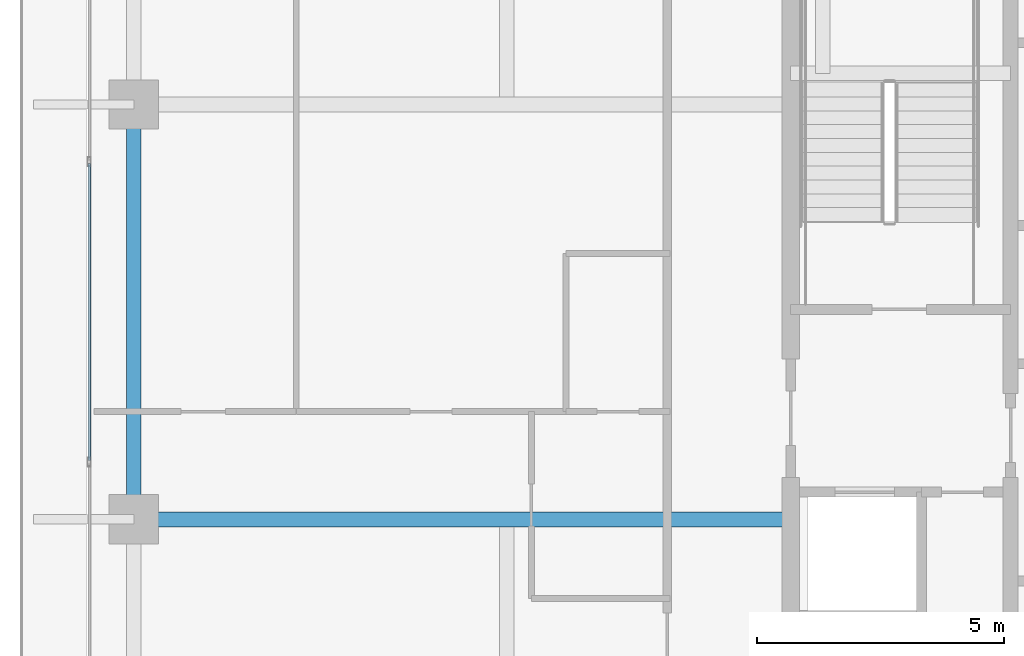
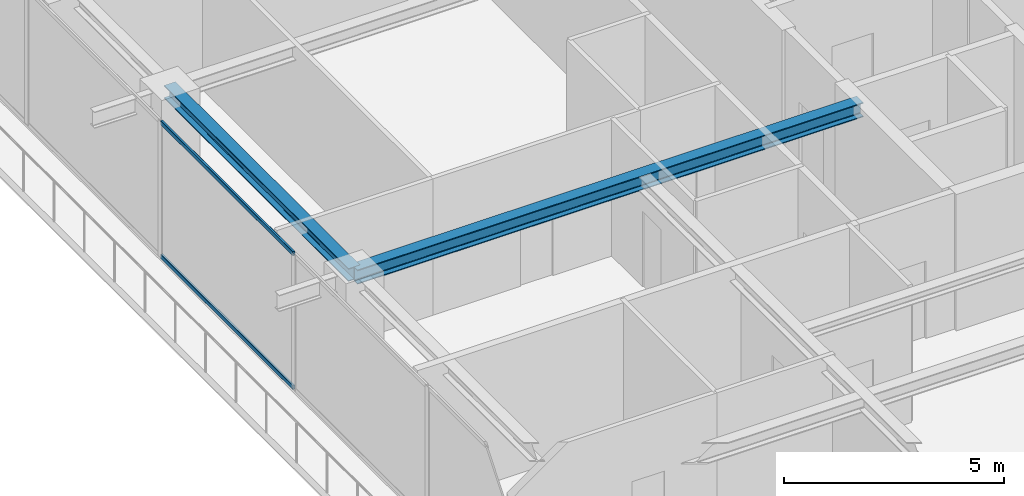
# One storey, part 9 of 42: 2 beams, 2 members, 1 element without a shape of its own.
"""IFC4 building model written with IfcOpenShell, lengths in metres."""

from ifc_helpers import new_model, si_unit, direction, frame, origin, origin_2d, place, context, subcontext, project, spatial, hollow_rectangle, i_section, extrude, source, transform, mapped, material, layer, layer_set, material_profile, profile_set, type_object, element, aggregate, save


model = new_model("IFC4")

# Units and contexts
model_context = context("Model", 3, precision=1e-05, world=origin(), true_north=direction((0.0, 1.0)))
body_context = subcontext(model_context, "Body", "Model", "MODEL_VIEW")
ifc_project = project(units=[si_unit("LENGTHUNIT", "METRE"), si_unit("AREAUNIT", "SQUARE_METRE"), si_unit("VOLUMEUNIT", "CUBIC_METRE"), si_unit("PLANEANGLEUNIT", "RADIAN"), si_unit("MASSUNIT", "GRAM", prefix="KILO")], contexts=[model_context])

# Site, building, storey
site_placement = place(None, origin())
site = spatial("IfcSite", under=ifc_project, at=site_placement, CompositionType="ELEMENT")
building_placement = place(site_placement, origin())
building = spatial("IfcBuilding", under=site, at=building_placement, Name="Serunith Strait Residences", CompositionType="ELEMENT")
storey_placement = place(building_placement, frame((0.0, 0.0, 309.64990234375)))
storey = spatial("IfcBuildingStorey", under=building, at=storey_placement, Name="L77", CompositionType="ELEMENT", Elevation=309.64990234375)

# Beams
ifc_material_1 = material(Name="Steel S355J2", Category="steel")
ifc_material_profile_1 = material_profile(ifc_material_1, i_section(OverallWidth=0.300048828125, OverallDepth=0.39990234375, WebThickness=0.013427734375, FlangeThickness=0.02392578125, FilletRadius=0.027099609375, at=origin_2d()), Name="HEB 400")
ifc_profile_set_1 = profile_set([ifc_material_profile_1], Name="Steel S355J2")
beam_type_1 = type_object("IfcBeamType", Name="BM-HEB400", PredefinedType="BEAM", material=ifc_profile_set_1)
shared_shape_1 = source(origin(), body_context, "Body", "SweptSolid", [
    extrude(i_section(OverallWidth=0.300048828125, OverallDepth=0.39990234375, WebThickness=0.013427734375, FlangeThickness=0.02392578125, FilletRadius=0.027099609375, at=origin_2d()), origin(), (0.0, 0.0, 1.0), 13.2998046875),
])
beam_1_placement = place(storey_placement, frame((23.39990234375, 21.0, 3.587158203125), z_axis=(-1.0, 0.0, 0.0), x_axis=(0.0, -1.0, 0.0)))
element("IfcBeam", 1, at=beam_1_placement, inside=storey, type_object=beam_type_1, Name="L77 Primary Floor Girder TC-W2", PredefinedType="BEAM", context=body_context, shape_type="MappedRepresentation", body=[
    mapped(shared_shape_1, transform((0.0, 0.0, 0.0), scale=1.0)),
])
ifc_material_profile_2 = material_profile(ifc_material_1, i_section(OverallWidth=0.300048828125, OverallDepth=0.360107421875, WebThickness=0.012451171875, FlangeThickness=0.0224609375, FilletRadius=0.027099609375, at=origin_2d()), Name="HEB 360")
ifc_profile_set_2 = profile_set([ifc_material_profile_2], Name="Steel S355J2")
beam_type_2 = type_object("IfcBeamType", Name="BM-HEB360", PredefinedType="BEAM", material=ifc_profile_set_2)
shared_shape_2 = source(origin(), body_context, "Body", "SweptSolid", [
    extrude(i_section(OverallWidth=0.300048828125, OverallDepth=0.360107421875, WebThickness=0.012451171875, FlangeThickness=0.0224609375, FilletRadius=0.027099609375, at=origin_2d()), origin(), (0.0, 0.0, 1.0), 8.39990234375),
])
beam_2_placement = place(storey_placement, frame((10.10009765625, 29.39990234375, 3.607177734375), z_axis=(0.0, -1.0, 0.0), x_axis=(1.0, 0.0, 0.0)))
element("IfcBeam", 2, at=beam_2_placement, inside=storey, type_object=beam_type_2, Name="L77 Perimeter Ring Beam 14", PredefinedType="BEAM", context=body_context, shape_type="MappedRepresentation", body=[
    mapped(shared_shape_2, transform((0.0, 0.0, 0.0), scale=1.0)),
])

# Curtain wall, members
ifc_material_2 = material(Name="Brushed Stainless-Silver Aluminium", Category="aluminium")
ifc_layer = layer(ifc_material_2, 0.199951171875, Name="Brushed Stainless-Silver Aluminium")
ifc_layer_set = layer_set([ifc_layer], Name="Brushed Stainless-Silver Aluminium")
curtain_wall_type = type_object("IfcCurtainWallType", Name="CW-SYS5", PredefinedType="NOTDEFINED", material=ifc_layer_set)
curtain_wall_placement = place(storey_placement, origin())
curtain_wall = element("IfcCurtainWall", 3, at=curtain_wall_placement, inside=storey, type_object=curtain_wall_type, Name="L77 W Unitised Fritted Curtain Wall", PredefinedType="NOTDEFINED")
ifc_material_profile_3 = material_profile(ifc_material_2, hollow_rectangle(XDim=0.06005859375, YDim=0.1201171875, WallThickness=0.00341796875, InnerFilletRadius=0.00537109375, OuterFilletRadius=0.0087890625, at=origin_2d()), Name="ALU 120x60x3.5")
ifc_profile_set_3 = profile_set([ifc_material_profile_3], Name="Brushed Stainless-Silver Aluminium")
member_type = type_object("IfcMemberType", Name="CW-SYS5-TRAN", PredefinedType="USERDEFINED", material=ifc_profile_set_3)
shared_shape_3 = source(origin(), body_context, "Body", "SweptSolid", [
    extrude(hollow_rectangle(XDim=0.06005859375, YDim=0.1201171875, WallThickness=0.00341796875, InnerFilletRadius=0.00537109375, OuterFilletRadius=0.0087890625, at=origin_2d()), origin(), (0.0, 0.0, 1.0), 6.01513671875),
])
member_1_placement = place(storey_placement, frame((9.199951171875, 28.20751953125, 0.030029296875), z_axis=(0.0, -1.0, 0.0), x_axis=(1.0, 0.0, 0.0)))
member_1 = element("IfcMember", 4, at=member_1_placement, type_object=member_type, Name="CW-5 transom 3.1", ObjectType="TRANSOM", PredefinedType="USERDEFINED", context=body_context, shape_type="MappedRepresentation", body=[
    mapped(shared_shape_3, transform((0.0, 0.0, 0.0), scale=1.0)),
])
member_2_placement = place(storey_placement, frame((9.199951171875, 28.20751953125, 3.7451171875), z_axis=(0.0, -1.0, 0.0), x_axis=(1.0, 0.0, 0.0)))
member_2 = element("IfcMember", 5, at=member_2_placement, type_object=member_type, Name="CW-5 transom 3.2", ObjectType="TRANSOM", PredefinedType="USERDEFINED", context=body_context, shape_type="MappedRepresentation", body=[
    mapped(shared_shape_3, transform((0.0, 0.0, 0.0), scale=1.0)),
])
aggregate(curtain_wall, [member_1, member_2])

save(model, "model.ifc")
